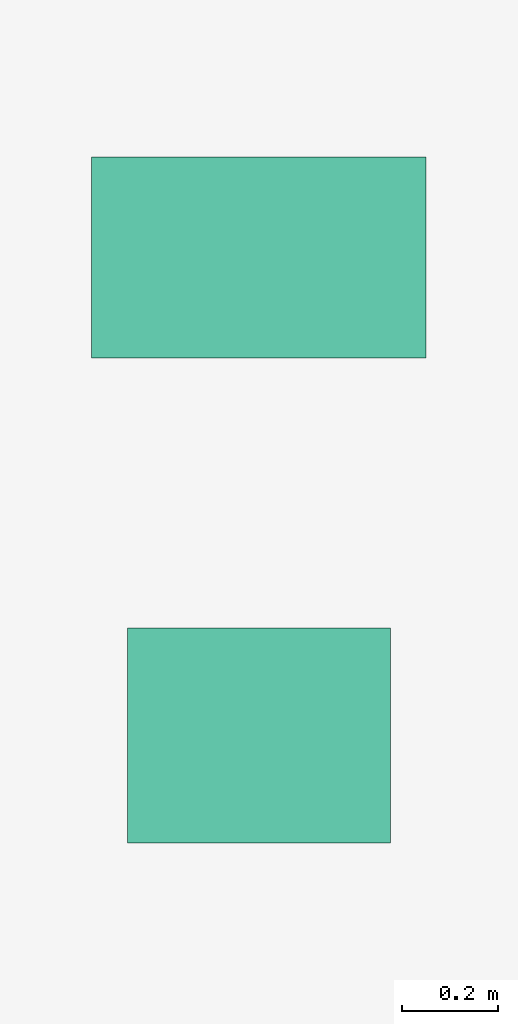
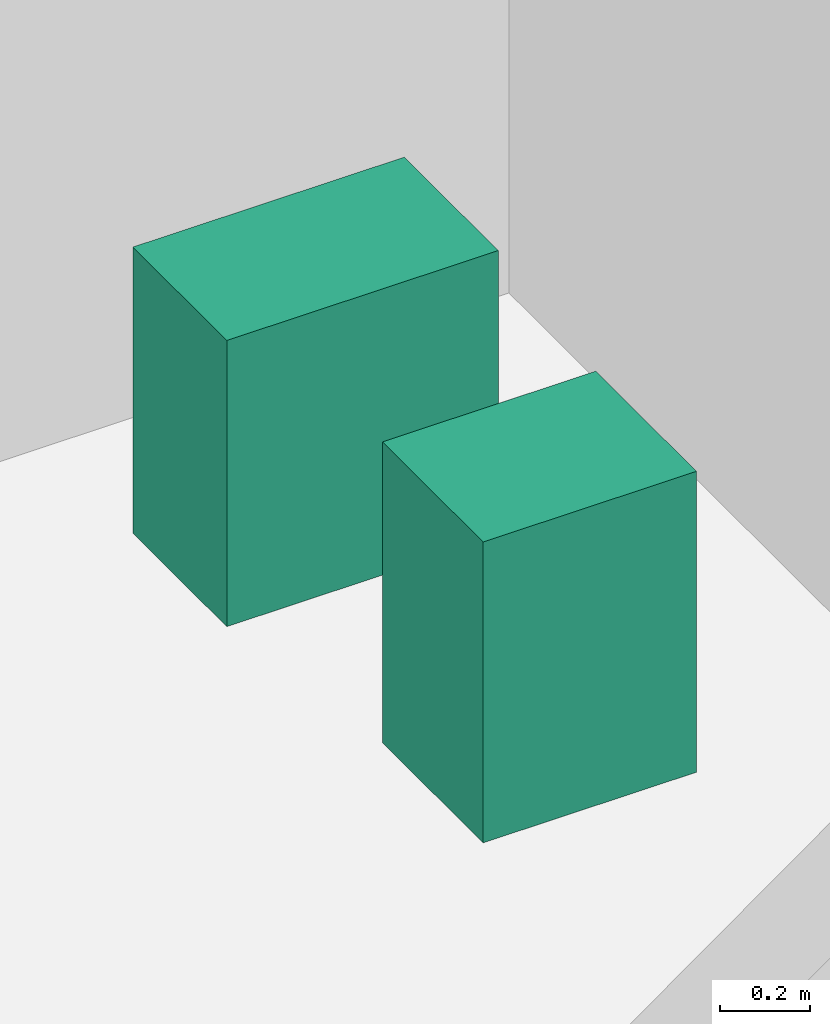
# One storey, part 28 of 28: 2 sanitary terminals.
"""IFC4 building model written with IfcOpenShell, lengths in metres."""

from ifc_helpers import new_model, si_unit, direction, frame, origin, origin_2d, place, context, subcontext, project, spatial, rectangle, extrude, source, transform, mapped, material, type_object, element, save


model = new_model("IFC4")

# Units and contexts
model_context = context("Model", 3, precision=1e-05, world=origin(), true_north=direction((0.0, 1.0)))
body_context = subcontext(model_context, "Body", "Model", "MODEL_VIEW")
ifc_project = project(units=[si_unit("LENGTHUNIT", "METRE"), si_unit("AREAUNIT", "SQUARE_METRE"), si_unit("VOLUMEUNIT", "CUBIC_METRE"), si_unit("PLANEANGLEUNIT", "RADIAN"), si_unit("MASSUNIT", "GRAM", prefix="KILO")], contexts=[model_context])

# Site, building, storey
site_placement = place(None, origin())
site = spatial("IfcSite", under=ifc_project, at=site_placement, CompositionType="ELEMENT")
building_placement = place(site_placement, origin())
building = spatial("IfcBuilding", under=site, at=building_placement, Name="Sumidabori Civic Tower", CompositionType="ELEMENT")
storey_placement = place(building_placement, frame((0.0, 0.0, 174.800048828125)))
storey = spatial("IfcBuildingStorey", under=building, at=storey_placement, Name="L45", CompositionType="ELEMENT", Elevation=174.800048828125)

# Sanitary terminals
ifc_material = material(Name="Vitreous Sanitary Porcelain")
sanitary_terminal_type_1 = type_object("IfcSanitaryTerminalType", Name="SN-WC-1", PredefinedType="TOILETPAN", material=ifc_material)
shared_shape_1 = source(origin(), body_context, "Body", "SweptSolid", [
    extrude(rectangle(XDim=0.699951171875, YDim=0.419921875, at=origin_2d()), origin(), (0.0, 0.0, 1.0), 0.780029296875),
])
sanitary_terminal_1_placement = place(storey_placement, frame((10.800048828125, 21.85009765625, 0.0), z_axis=(0.0, 0.0, 1.0), x_axis=(1.0, 0.0, 0.0)))
element("IfcSanitaryTerminal", 1, at=sanitary_terminal_1_placement, inside=storey, type_object=sanitary_terminal_type_1, Name="Accessible WC Pan L45", PredefinedType="TOILETPAN", context=body_context, shape_type="MappedRepresentation", body=[
    mapped(shared_shape_1, transform((0.0, 0.0, 0.0), x_axis=(1.0, 0.0, 0.0), y_axis=(0.0, 1.0, 0.0), z_axis=(0.0, 0.0, 1.0), scale=1.0)),
])
sanitary_terminal_type_2 = type_object("IfcSanitaryTerminalType", Name="SN-BAS-1", PredefinedType="WASHHANDBASIN", material=ifc_material)
shared_shape_2 = source(origin(), body_context, "Body", "SweptSolid", [
    extrude(rectangle(XDim=0.550048828125, YDim=0.449951171875, at=origin_2d()), origin(), (0.0, 0.0, 1.0), 0.820068359375),
])
sanitary_terminal_2_placement = place(storey_placement, frame((10.800048828125, 20.85009765625, 0.0), z_axis=(0.0, 0.0, 1.0), x_axis=(1.0, 0.0, 0.0)))
element("IfcSanitaryTerminal", 2, at=sanitary_terminal_2_placement, inside=storey, type_object=sanitary_terminal_type_2, Name="Accessible Basin L45", PredefinedType="WASHHANDBASIN", context=body_context, shape_type="MappedRepresentation", body=[
    mapped(shared_shape_2, transform((0.0, 0.0, 0.0), x_axis=(1.0, 0.0, 0.0), y_axis=(0.0, 1.0, 0.0), z_axis=(0.0, 0.0, 1.0), scale=1.0)),
])

save(model, "model.ifc")
